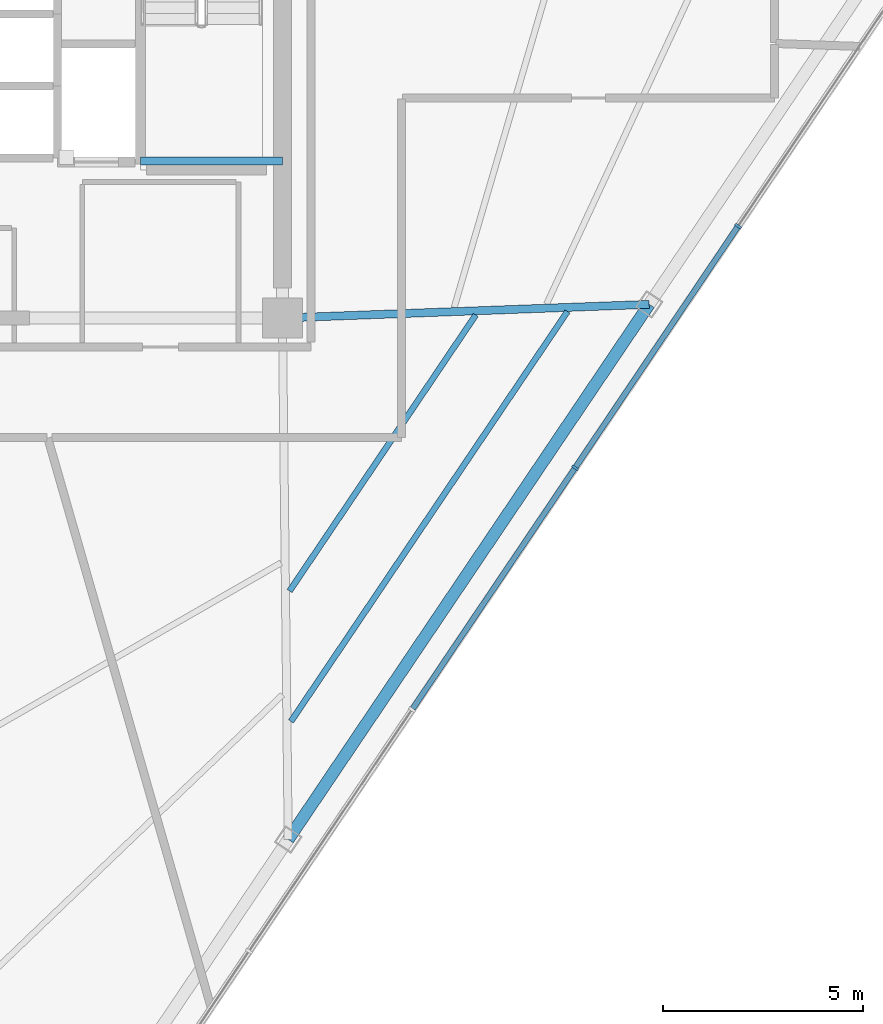
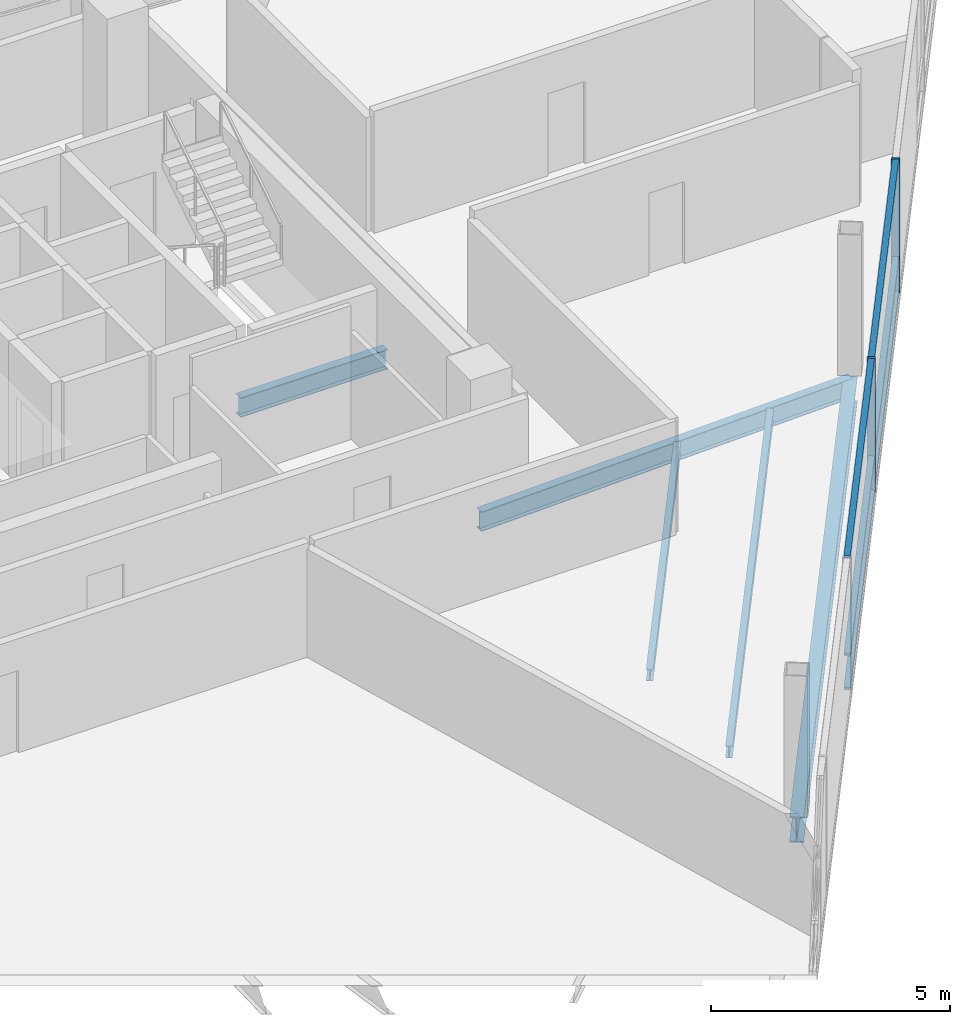
# One storey, part 4 of 14: 8 members, 5 beams, 1 element without a shape of its own.
"""IFC4 building model written with IfcOpenShell, lengths in metres."""

from ifc_helpers import new_model, si_unit, direction, frame, origin, origin_2d, place, context, subcontext, project, spatial, rectangle, i_section, extrude, material, layer, layer_set, material_profile, profile_set, type_object, element, aggregate, save


model = new_model("IFC4")

# Units and contexts
model_context = context("Model", 3, precision=1e-05, world=origin(), true_north=direction((0.0, 1.0)))
body_context = subcontext(model_context, "Body", "Model", "MODEL_VIEW")
ifc_project = project(units=[si_unit("LENGTHUNIT", "METRE"), si_unit("AREAUNIT", "SQUARE_METRE"), si_unit("VOLUMEUNIT", "CUBIC_METRE"), si_unit("PLANEANGLEUNIT", "RADIAN"), si_unit("MASSUNIT", "GRAM", prefix="KILO")], contexts=[model_context])

# Site, building, storey
site_placement = place(None, origin())
site = spatial("IfcSite", under=ifc_project, at=site_placement, CompositionType="ELEMENT")
building_placement = place(site_placement, origin())
building = spatial("IfcBuilding", under=site, at=building_placement, Name="Tharavind Bronze Gate", CompositionType="ELEMENT")
storey_placement = place(building_placement, frame((0.0, 0.0, 230.64990234375)))
storey = spatial("IfcBuildingStorey", under=building, at=storey_placement, Name="L59", CompositionType="ELEMENT", Elevation=230.64990234375)

# Curtain wall, members
ifc_material_1 = material(Name="Anodised Bronze Aluminium", Category="aluminium")
ifc_layer = layer(ifc_material_1, 0.219970703125)
ifc_layer_set = layer_set([ifc_layer], Name="Anodised Bronze Aluminium")
curtain_wall_type = type_object("IfcCurtainWallType", Name="UNITISED CURTAIN WALL UPPER OFFICE", PredefinedType="USERDEFINED", material=ifc_layer_set)
curtain_wall_placement = place(storey_placement, origin())
curtain_wall = element("IfcCurtainWall", 1, at=curtain_wall_placement, inside=storey, type_object=curtain_wall_type, Name="L59 unitised curtain wall upper office CW-L59-S2", ObjectType="UNITISED CURTAIN WALL", PredefinedType="USERDEFINED")
member_type_1 = type_object("IfcMemberType", Name="CURTAIN WALL BRONZE MULLION 65X180", PredefinedType="MULLION", material=ifc_material_1)
member_1_placement = place(storey_placement, frame((16.212890625, -11.34326171875, 0.000244140625), z_axis=(0.0, 0.0, 1.0), x_axis=(0.559192903471, 0.829037572555, 0.0)))
member_1 = element("IfcMember", 2, at=member_1_placement, type_object=member_type_1, Name="CW-L59-S2 mullion 5", PredefinedType="MULLION", context=body_context, shape_type="SweptSolid", body=[
    extrude(rectangle(XDim=0.06494140625, YDim=0.179931640625, at=origin_2d()), origin(), (0.0, 0.0, 1.0), 3.419921875),
])
member_2_placement = place(storey_placement, frame((20.285400390625, -5.305419921875, 0.000244140625), z_axis=(0.0, 0.0, 1.0), x_axis=(0.559192903471, 0.829037572555, 0.0)))
member_2 = element("IfcMember", 3, at=member_2_placement, type_object=member_type_1, Name="CW-L59-S2 mullion 6", PredefinedType="MULLION", context=body_context, shape_type="SweptSolid", body=[
    extrude(rectangle(XDim=0.06494140625, YDim=0.179931640625, at=origin_2d()), origin(), (0.0, 0.0, 1.0), 3.419921875),
])
member_type_2 = type_object("IfcMemberType", Name="CURTAIN WALL BRONZE TRANSOM 65X140", PredefinedType="USERDEFINED", material=ifc_material_1)
member_3_placement = place(storey_placement, frame((14.176513671875, -14.3623046875, 0.000244140625), z_axis=(0.0, 0.0, 1.0), x_axis=(0.559192903471, 0.829037572555, 0.0)))
member_3 = element("IfcMember", 4, at=member_3_placement, type_object=member_type_2, Name="CW-L59-S2 transom TB4", ObjectType="TRANSOM", PredefinedType="USERDEFINED", context=body_context, shape_type="SweptSolid", body=[
    extrude(rectangle(XDim=7.22998046875, YDim=0.139892578125, at=origin_2d()), origin(), (0.0, 0.0, 1.0), 0.06494140625),
])
member_4_placement = place(storey_placement, frame((14.176513671875, -14.3623046875, 0.86767578125), z_axis=(0.0, 0.0, 1.0), x_axis=(0.559192903471, 0.829037572555, 0.0)))
member_4 = element("IfcMember", 5, at=member_4_placement, type_object=member_type_2, Name="CW-L59-S2 transom TS4", ObjectType="TRANSOM", PredefinedType="USERDEFINED", context=body_context, shape_type="SweptSolid", body=[
    extrude(rectangle(XDim=7.22998046875, YDim=0.139892578125, at=origin_2d()), origin(), (0.0, 0.0, 1.0), 0.06494140625),
])
member_5_placement = place(storey_placement, frame((14.176513671875, -14.3623046875, 3.355224609375), z_axis=(0.0, 0.0, 1.0), x_axis=(0.559192903471, 0.829037572555, 0.0)))
member_5 = element("IfcMember", 6, at=member_5_placement, type_object=member_type_2, Name="CW-L59-S2 transom TT4", ObjectType="TRANSOM", PredefinedType="USERDEFINED", context=body_context, shape_type="SweptSolid", body=[
    extrude(rectangle(XDim=7.22998046875, YDim=0.139892578125, at=origin_2d()), origin(), (0.0, 0.0, 1.0), 0.06494140625),
])
member_6_placement = place(storey_placement, frame((18.2490234375, -8.324462890625, 0.000244140625), z_axis=(0.0, 0.0, 1.0), x_axis=(0.559192903471, 0.829037572555, 0.0)))
member_6 = element("IfcMember", 7, at=member_6_placement, type_object=member_type_2, Name="CW-L59-S2 transom TB5", ObjectType="TRANSOM", PredefinedType="USERDEFINED", context=body_context, shape_type="SweptSolid", body=[
    extrude(rectangle(XDim=7.22998046875, YDim=0.139892578125, at=origin_2d()), origin(), (0.0, 0.0, 1.0), 0.06494140625),
])
member_7_placement = place(storey_placement, frame((18.2490234375, -8.324462890625, 0.86767578125), z_axis=(0.0, 0.0, 1.0), x_axis=(0.559192903471, 0.829037572555, 0.0)))
member_7 = element("IfcMember", 8, at=member_7_placement, type_object=member_type_2, Name="CW-L59-S2 transom TS5", ObjectType="TRANSOM", PredefinedType="USERDEFINED", context=body_context, shape_type="SweptSolid", body=[
    extrude(rectangle(XDim=7.22998046875, YDim=0.139892578125, at=origin_2d()), origin(), (0.0, 0.0, 1.0), 0.06494140625),
])
member_8_placement = place(storey_placement, frame((18.2490234375, -8.324462890625, 3.355224609375), z_axis=(0.0, 0.0, 1.0), x_axis=(0.559192903471, 0.829037572555, 0.0)))
member_8 = element("IfcMember", 9, at=member_8_placement, type_object=member_type_2, Name="CW-L59-S2 transom TT5", ObjectType="TRANSOM", PredefinedType="USERDEFINED", context=body_context, shape_type="SweptSolid", body=[
    extrude(rectangle(XDim=7.22998046875, YDim=0.139892578125, at=origin_2d()), origin(), (0.0, 0.0, 1.0), 0.06494140625),
])
aggregate(curtain_wall, [member_1, member_2, member_3, member_4, member_5, member_6, member_7, member_8])

# Beams
ifc_material_2 = material(Name="Steel S355", Category="steel")
ifc_material_profile_1 = material_profile(ifc_material_2, i_section(OverallWidth=0.300048828125, OverallDepth=0.64990234375, WebThickness=0.01611328125, FlangeThickness=0.031005859375, at=origin_2d()), Name="HE650B")
ifc_profile_set_1 = profile_set([ifc_material_profile_1], Name="Steel S355")
beam_type_1 = type_object("IfcBeamType", Name="PRIMARY GIRDER HE650B", PredefinedType="USERDEFINED", material=ifc_profile_set_1)
beam_1_placement = place(storey_placement, frame((9.045654296875, -20.627685546875, -0.5048828125), z_axis=(0.559202164633, 0.829031325747, 0.0), x_axis=(-0.829031325747, 0.559202164633, 0.0)))
element("IfcBeam", 10, at=beam_1_placement, inside=storey, type_object=beam_type_1, Name="L59 primary girder he650b BM-L59-PRG06", ObjectType="GIRDER", PredefinedType="USERDEFINED", context=body_context, shape_type="SweptSolid", body=[
    extrude(i_section(OverallWidth=0.300048828125, OverallDepth=0.64990234375, WebThickness=0.01611328125, FlangeThickness=0.031005859375, at=origin_2d()), origin(), (0.0, 0.0, 1.0), 16.127197265625),
])
ifc_material_profile_2 = material_profile(ifc_material_2, i_section(OverallWidth=0.199951171875, OverallDepth=0.5, WebThickness=0.01025390625, FlangeThickness=0.01611328125, at=origin_2d()), Name="IPE500")
ifc_profile_set_2 = profile_set([ifc_material_profile_2], Name="Steel S355")
beam_type_2 = type_object("IfcBeamType", Name="PRIMARY GIRDER IPE500", PredefinedType="USERDEFINED", material=ifc_profile_set_2)
beam_2_placement = place(storey_placement, frame((5.35009765625, -3.679931640625, 1.35009765625), z_axis=(1.0, 0.0, 0.0), x_axis=(0.0, 1.0, 0.0)))
element("IfcBeam", 11, at=beam_2_placement, inside=storey, type_object=beam_type_2, Name="L59 primary girder ipe500 BM-LD-ST2-L59-1", ObjectType="GIRDER", PredefinedType="USERDEFINED", context=body_context, shape_type="SweptSolid", body=[
    extrude(i_section(OverallWidth=0.199951171875, OverallDepth=0.5, WebThickness=0.01025390625, FlangeThickness=0.01611328125, at=origin_2d()), origin(), (0.0, 0.0, 1.0), 3.5498046875),
])
beam_3_placement = place(storey_placement, frame((18.06396484375, -7.2578125, -0.429931640625), z_axis=(-0.999303187499, -0.037324783378, 0.0), x_axis=(0.037324783378, -0.999303187499, 0.0)))
element("IfcBeam", 12, at=beam_3_placement, inside=storey, type_object=beam_type_2, Name="L59 primary girder ipe500 BM-L59-RAD07", ObjectType="GIRDER", PredefinedType="USERDEFINED", context=body_context, shape_type="SweptSolid", body=[
    extrude(i_section(OverallWidth=0.199951171875, OverallDepth=0.5, WebThickness=0.01025390625, FlangeThickness=0.01611328125, at=origin_2d()), origin(), (0.0, 0.0, 1.0), 9.17041015625),
])
ifc_material_profile_3 = material_profile(ifc_material_2, i_section(OverallWidth=0.14990234375, OverallDepth=0.300048828125, WebThickness=0.007080078125, FlangeThickness=0.0107421875, at=origin_2d()), Name="IPE300")
ifc_profile_set_3 = profile_set([ifc_material_profile_3], Name="Steel S355")
beam_type_3 = type_object("IfcBeamType", Name="SECONDARY FLOOR JOIST IPE300", PredefinedType="JOIST", material=ifc_profile_set_3)
beam_4_placement = place(storey_placement, frame((9.07861328125, -14.420654296875, -0.329833984375), z_axis=(0.559181536452, 0.829045239593, 0.0), x_axis=(-0.829045239593, 0.559181536452, 0.0)))
element("IfcBeam", 13, at=beam_4_placement, inside=storey, type_object=beam_type_3, Name="L59 secondary floor joist ipe300 BM-L59-JSTA06", PredefinedType="JOIST", context=body_context, shape_type="SweptSolid", body=[
    extrude(i_section(OverallWidth=0.14990234375, OverallDepth=0.300048828125, WebThickness=0.007080078125, FlangeThickness=0.0107421875, at=origin_2d()), origin(), (0.0, 0.0, 1.0), 8.3203125),
])
beam_5_placement = place(storey_placement, frame((9.114990234375, -17.677734375, -0.329833984375), z_axis=(0.559189375042, 0.8290399525, 0.0), x_axis=(-0.8290399525, 0.559189375042, 0.0)))
element("IfcBeam", 14, at=beam_5_placement, inside=storey, type_object=beam_type_3, Name="L59 secondary floor joist ipe300 BM-L59-JSTB06", PredefinedType="JOIST", context=body_context, shape_type="SweptSolid", body=[
    extrude(i_section(OverallWidth=0.14990234375, OverallDepth=0.300048828125, WebThickness=0.007080078125, FlangeThickness=0.0107421875, at=origin_2d()), origin(), (0.0, 0.0, 1.0), 12.352294921875),
])

save(model, "model.ifc")
